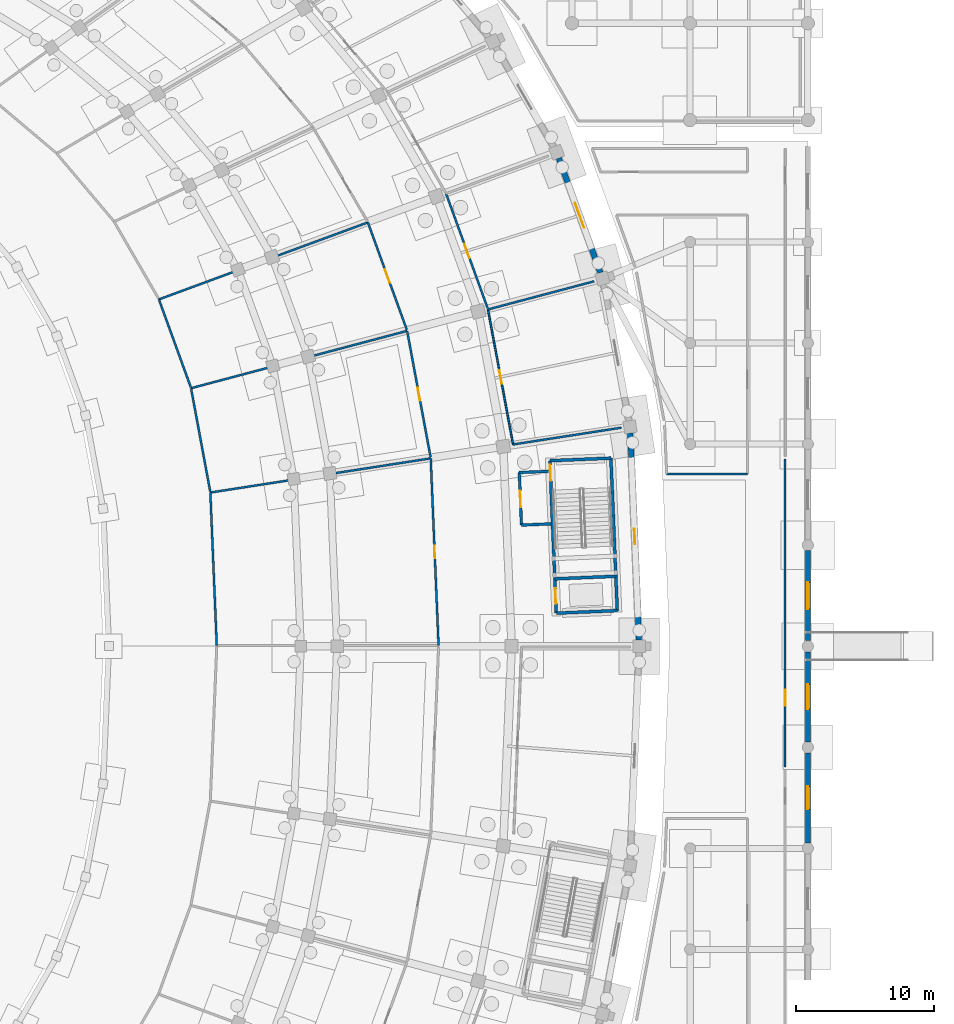
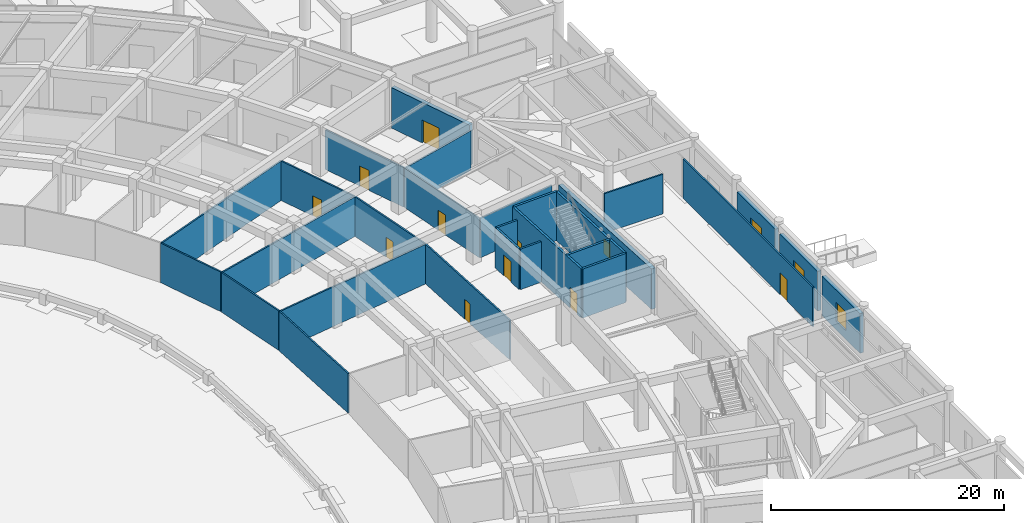
# One storey, part 54 of 88: 28 walls, 10 doors, 4 windows, 14 openings.
"""IFC4 building model written with IfcOpenShell, lengths in metres."""

import ifcopenshell
import ifcopenshell.guid

model = None  # the IFC model being written
_history = None  # IfcOwnerHistory: only IFC2X3 demands one
_inside = {}  # id of a spatial element -> (the spatial element, [elements in it])
_under = {}  # id of a project, library or spatial element -> (it, [spatial elements below it])
_declared = {}  # id of a project -> (the project, [libraries it declares])
_typed = {}  # id of a type object -> (the type object, [elements of that type])
_made_of = {}  # id of a material, layer set ... -> (it, [elements and type objects made of it])


def new_model(schema):
    """Start an empty IFC model of exactly this schema.

    Asked for "IFC4X3", IfcOpenShell would pick the latest addendum, in which some entities
    have other attributes; the version numbers below select the first issue.
    IFC2X3 requires an IfcOwnerHistory on every rooted entity: one is made here for all.
    """
    global model, _history
    if schema == "IFC4X3":
        model = ifcopenshell.file(schema_version=(4, 3, 0, 0))
    else:
        model = ifcopenshell.file(schema=schema)
    _inside.clear()
    _under.clear()
    _declared.clear()
    _typed.clear()
    _made_of.clear()
    _history = None
    if model.schema == "IFC2X3":
        org = make("IfcOrganization", Name="unknown")
        user = make(
            "IfcPersonAndOrganization",
            ThePerson=make("IfcPerson", FamilyName="unknown"),
            TheOrganization=org,
        )
        app = make(
            "IfcApplication",
            ApplicationDeveloper=org,
            Version="unknown",
            ApplicationFullName="unknown",
            ApplicationIdentifier="unknown",
        )
        _history = make(
            "IfcOwnerHistory",
            OwningUser=user,
            OwningApplication=app,
            ChangeAction="ADDED",
            CreationDate=0,
        )
    return model


def make(cls, **values):
    """One entity of the class cls with the attributes given. An attribute that is None is left unset."""
    return model.create_entity(
        cls, **{name: value for name, value in values.items() if value is not None}
    )


def rooted(cls, **values):
    """An entity with a GlobalId (a new one), such as an element, a storey or a relation."""
    return make(cls, GlobalId=ifcopenshell.guid.new(), OwnerHistory=_history, **values)


def si_unit(unit_type, name, prefix=None):
    """IfcSIUnit, for example si_unit("LENGTHUNIT", "METRE", prefix="MILLI")."""
    return make("IfcSIUnit", UnitType=unit_type, Prefix=prefix, Name=name)


def assignment(units):
    """IfcUnitAssignment: the units of a project."""
    return None if units is None else make("IfcUnitAssignment", Units=units)


def point(xyz):
    """IfcCartesianPoint."""
    return None if xyz is None else make("IfcCartesianPoint", Coordinates=xyz)


def direction(xyz):
    """IfcDirection."""
    return None if xyz is None else make("IfcDirection", DirectionRatios=xyz)


def frame(location, z_axis=None, x_axis=None):
    """IfcAxis2Placement3D, a coordinate frame: its origin and axes. An axis left out is left unset."""
    return make(
        "IfcAxis2Placement3D",
        Location=point(location),
        Axis=direction(z_axis),
        RefDirection=direction(x_axis),
    )


def frame_2d(location, x_axis=None):
    """IfcAxis2Placement2D, a coordinate frame in the plane: its origin and x axis."""
    return make(
        "IfcAxis2Placement2D", Location=point(location), RefDirection=direction(x_axis)
    )


def origin():
    """The frame at (0, 0, 0) with its axes left unset."""
    return frame((0.0, 0.0, 0.0))


def place(relative_to, where):
    """IfcLocalPlacement: puts the frame where relative to a parent placement (None: the world)."""
    return make(
        "IfcLocalPlacement", PlacementRelTo=relative_to, RelativePlacement=where
    )


def context(
    kind, dimensions, precision=None, world=None, true_north=None, identifier=None
):
    """IfcGeometricRepresentationContext, for example the 3D "Model" context."""
    return make(
        "IfcGeometricRepresentationContext",
        ContextIdentifier=identifier,
        ContextType=kind,
        CoordinateSpaceDimension=dimensions,
        Precision=precision,
        WorldCoordinateSystem=world,
        TrueNorth=true_north,
    )


def subcontext(parent, identifier, kind, view, scale=None):
    """IfcGeometricRepresentationSubContext, for example "Body" below "Model"."""
    return make(
        "IfcGeometricRepresentationSubContext",
        ContextIdentifier=identifier,
        ContextType=kind,
        ParentContext=parent,
        TargetScale=scale,
        TargetView=view,
    )


def project(units=None, contexts=None):
    """IfcProject with its units and contexts."""
    return rooted(
        "IfcProject",
        Name="project",
        RepresentationContexts=contexts,
        UnitsInContext=assignment(units),
    )


def spatial(cls, under=None, at=None, **own):
    """A site, building, storey or space (cls), placed at a placement, below another one or the project."""
    s = rooted(cls, ObjectPlacement=at, **own)
    if under is not None:
        _under.setdefault(under.id(), (under, []))[1].append(s)
    return s


def profile(cls, at=None, kind="AREA", **sizes):
    """A parametric profile (cls). Its sizes go by their IFC names, for example OverallWidth=200.0."""
    return make(cls, ProfileType=kind, Position=at, **sizes)


def rectangle(**sizes):
    """IfcRectangleProfileDef."""
    return profile("IfcRectangleProfileDef", **sizes)


def extrude(swept, where, along, depth):
    """IfcExtrudedAreaSolid: the profile swept, set in the frame where, extruded along a direction by depth."""
    return make(
        "IfcExtrudedAreaSolid",
        SweptArea=swept,
        Position=where,
        ExtrudedDirection=direction(along),
        Depth=depth,
    )


def shape(context_of_items, identifier, shape_type, items):
    """IfcShapeRepresentation: the items that make up one representation, for example the "Body"."""
    return make(
        "IfcShapeRepresentation",
        ContextOfItems=context_of_items,
        RepresentationIdentifier=identifier,
        RepresentationType=shape_type,
        Items=items,
    )


def material(Name=None, Category=None):
    """IfcMaterial."""
    return make("IfcMaterial", Name=Name, Category=Category)


def layer(
    of_material, thickness, ventilated=None, Name=None, Category=None, Priority=None
):
    """IfcMaterialLayer: one layer of a wall or slab, of a material (None: an air gap)."""
    return make(
        "IfcMaterialLayer",
        Material=of_material,
        LayerThickness=thickness,
        IsVentilated=ventilated,
        Name=Name,
        Category=Category,
        Priority=Priority,
    )


def layer_set(layers, Name=None):
    """IfcMaterialLayerSet."""
    return make("IfcMaterialLayerSet", MaterialLayers=layers, LayerSetName=Name)


def made_of(thing, what):
    """Note that an element or type object is made of a material, layer set ...; save() writes the relation."""
    if what is not None:
        _made_of.setdefault(what.id(), (what, []))[1].append(thing)
    return thing


def type_object(cls, material=None, **own):
    """A type object (cls), such as IfcWallType, which elements share."""
    return made_of(rooted(cls, **own), material)


def element(
    cls,
    number,
    at=None,
    inside=None,
    cuts=None,
    type_object=None,
    material=None,
    context=None,
    identifier="Body",
    shape_type=None,
    held_by="IfcProductDefinitionShape",
    body=None,
    shapes=None,
    **own,
):
    """One element of the class cls, such as IfcWall. Its Tag is "e" and its number.

    at: its placement. inside: the storey or other place that contains it. cuts: it is an
    opening in that element (IfcRelVoidsElement). A single representation is given by context,
    identifier, shape_type and body (its items); several are given by shapes. held_by: the class
    of the entity that holds the representations. save() writes the other relations.
    """
    e = rooted(cls, Tag="e%d" % number, ObjectPlacement=at, **own)
    if body is not None:
        shapes = [shape(context, identifier, shape_type, body)]
    if shapes is not None:
        e.Representation = make(held_by, Representations=shapes)
    if inside is not None:
        _inside.setdefault(inside.id(), (inside, []))[1].append(e)
    if cuts is not None:
        rooted(
            "IfcRelVoidsElement", RelatingBuildingElement=cuts, RelatedOpeningElement=e
        )
    if type_object is not None:
        _typed.setdefault(type_object.id(), (type_object, []))[1].append(e)
    return made_of(e, material)


def fill(opening, filler):
    """IfcRelFillsElement: the door or window that sits in an opening."""
    return rooted(
        "IfcRelFillsElement",
        RelatingOpeningElement=opening,
        RelatedBuildingElement=filler,
    )


def aggregate(whole, parts):
    """IfcRelAggregates: a whole, such as a stair, and the parts it consists of."""
    return rooted("IfcRelAggregates", RelatingObject=whole, RelatedObjects=parts)


def save(model, path):
    """Write the relations noted so far, then the file.

    IfcRelAggregates (storeys below a building ...), IfcRelContainedInSpatialStructure (elements
    in a storey), IfcRelDefinesByType, IfcRelAssociatesMaterial and IfcRelDeclares: one each for
    every whole, place, type object, material and project.
    """
    for whole, parts in _under.values():
        aggregate(whole, parts)
    for where, things in _inside.values():
        rooted(
            "IfcRelContainedInSpatialStructure",
            RelatedElements=things,
            RelatingStructure=where,
        )
    for kind, things in _typed.values():
        rooted("IfcRelDefinesByType", RelatedObjects=things, RelatingType=kind)
    for what, things in _made_of.values():
        rooted("IfcRelAssociatesMaterial", RelatedObjects=things, RelatingMaterial=what)
    for by, libraries in _declared.values():
        rooted("IfcRelDeclares", RelatingContext=by, RelatedDefinitions=libraries)
    model.write(path)


model = new_model("IFC4")

# Units and contexts
model_context = context("Model", 3, precision=1e-05, world=origin(), true_north=direction((0.0, 1.0)))
body_context = subcontext(model_context, "Body", "Model", "MODEL_VIEW")
ifc_project = project(units=[si_unit("LENGTHUNIT", "METRE"), si_unit("AREAUNIT", "SQUARE_METRE"), si_unit("VOLUMEUNIT", "CUBIC_METRE"), si_unit("PLANEANGLEUNIT", "RADIAN"), si_unit("MASSUNIT", "GRAM", prefix="KILO")], contexts=[model_context])

# Site, building, storey
site_placement = place(None, origin())
site = spatial("IfcSite", under=ifc_project, at=site_placement, CompositionType="ELEMENT")
building_placement = place(site_placement, origin())
building = spatial("IfcBuilding", under=site, at=building_placement, Name="Mphavela Belvedere Stadium", CompositionType="ELEMENT")
storey_placement = place(building_placement, origin())
storey = spatial("IfcBuildingStorey", under=building, at=storey_placement, Name="L00", CompositionType="ELEMENT", Elevation=0.0)

# Walls
ifc_material_1 = material(Name="Concrete C40/50", Category="concrete")
ifc_layer_1 = layer(ifc_material_1, 0.219970703125)
ifc_layer_set_1 = layer_set([ifc_layer_1], Name="Concrete C40/50")
wall_type_1 = type_object("IfcWallType", Name="WAL-CORE-SHEAR-220", PredefinedType="SHEAR", material=ifc_layer_set_1)
wall_1_placement = place(storey_placement, frame((215.771728515625, 100.585205078125, 0.0), z_axis=(0.0, 0.0, 1.0), x_axis=(0.041871977473, -0.999122984173, 0.0)))
element("IfcWall", 1, at=wall_1_placement, inside=storey, type_object=wall_type_1, Name="Core C01 shear wall L00 rear", PredefinedType="SHEAR", context=body_context, shape_type="SweptSolid", body=[
    extrude(rectangle(XDim=11.02001953125, YDim=0.219970703125, at=frame_2d((5.510009765625, 0.0))), origin(), (0.0, 0.0, 1.0), 5.14990234375),
])
for number, where, z_axis, x_axis, name in (
    (2, (211.365478515625, 100.400390625, 0.0), (0.0, 0.0, 1.0), (0.999121521721, 0.041906859039, 0.0), "Core C01 shear wall L00 left"),
    (3, (211.826904296875, 89.39013671875, 0.0), (0.0, 0.0, 1.0), (0.999121521721, 0.041906859039, 0.0), "Core C01 shear wall L00 right"),
):
    element("IfcWall", number, at=place(storey_placement, frame(where, z_axis=z_axis, x_axis=x_axis)), inside=storey, type_object=wall_type_1, Name=name, PredefinedType="SHEAR", context=body_context, shape_type="SweptSolid", body=[
        extrude(rectangle(XDim=4.41015625, YDim=0.219970703125, at=frame_2d((2.205078125, 0.0))), origin(), (0.0, 0.0, 1.0), 5.14990234375),
    ])

# Wall, openings, doors
wall_2_placement = place(storey_placement, frame((211.365478515625, 100.400390625, 0.0), z_axis=(0.0, 0.0, 1.0), x_axis=(0.041871977473, -0.999122984173, 0.0)))
wall_2 = element("IfcWall", 4, at=wall_2_placement, inside=storey, type_object=wall_type_1, Name="Core C01 shear wall L00 front", PredefinedType="SHEAR", context=body_context, shape_type="SweptSolid", body=[
    extrude(rectangle(XDim=11.02001953125, YDim=0.219970703125, at=frame_2d((5.510009765625, 0.0))), origin(), (0.0, 0.0, 1.0), 5.14990234375),
])
opening_1_placement = place(wall_2_placement, frame((0.300048828125, 0.0, 0.0)))
opening_1 = element("IfcOpeningElement", 5, at=opening_1_placement, cuts=wall_2, Name="Opening SD-001", PredefinedType="OPENING", context=body_context, shape_type="SweptSolid", body=[
    extrude(rectangle(XDim=1.14990234375, YDim=2.14990234375, at=frame_2d((0.574951171875, 1.074951171875))), frame((0.0, 0.1201171875, 0.0), z_axis=(0.0, -1.0, 0.0), x_axis=(1.0, 0.0, 0.0)), (0.0, 0.0, 1.0), 0.239990234375),
])
opening_2_placement = place(wall_2_placement, frame((9.22998046875, 0.0, 0.0)))
opening_2 = element("IfcOpeningElement", 6, at=opening_2_placement, cuts=wall_2, Name="Opening LD-001", PredefinedType="OPENING", context=body_context, shape_type="SweptSolid", body=[
    extrude(rectangle(XDim=1.10009765625, YDim=2.14990234375, at=frame_2d((0.550048828125, 1.074951171875))), frame((0.0, 0.1201171875, 0.0), z_axis=(0.0, -1.0, 0.0), x_axis=(1.0, 0.0, 0.0)), (0.0, 0.0, 1.0), 0.239990234375),
])
ifc_material_2 = material(Name="Stainless steel center-parting lift landing door", Category="steel")
door_type_1 = type_object("IfcDoorType", Name="DR-LIFT-SLIDE-1100", OperationType="NOTDEFINED", PredefinedType="DOOR", material=ifc_material_2)
door_1_placement = place(opening_2_placement, origin())
door_1 = element("IfcDoor", 7, at=door_1_placement, inside=storey, type_object=door_type_1, Name="Lift landing sliding door FL01 L00", OperationType="DOUBLE_DOOR_SLIDING", OverallHeight=2.14990234375, OverallWidth=1.10009765625, PredefinedType="DOOR", context=body_context, shape_type="SweptSolid", body=[
    extrude(rectangle(XDim=1.10009765625, YDim=2.14990234375, at=frame_2d((0.550048828125, 1.074951171875))), frame((0.0, 0.02490234375, 0.0), z_axis=(0.0, -1.0, 0.0), x_axis=(1.0, 0.0, 0.0)), (0.0, 0.0, 1.0), 0.050048828125),
])
fill(opening_2, door_1)
ifc_material_3 = material(Name="Steel acoustic fire-resisting stair doorset", Category="steel")
door_type_2 = type_object("IfcDoorType", Name="DR-STAIR-FIRE-1150", OperationType="NOTDEFINED", PredefinedType="DOOR", material=ifc_material_3)
door_2_placement = place(opening_1_placement, origin())
door_2 = element("IfcDoor", 8, at=door_2_placement, inside=storey, type_object=door_type_2, Name="Escape stair fire door C01 L00", OperationType="SINGLE_SWING_LEFT", OverallHeight=2.14990234375, OverallWidth=1.14990234375, PredefinedType="DOOR", context=body_context, shape_type="SweptSolid", body=[
    extrude(rectangle(XDim=1.14990234375, YDim=2.14990234375, at=frame_2d((0.574951171875, 1.074951171875))), frame((0.0, 0.02490234375, 0.0), z_axis=(0.0, -1.0, 0.0), x_axis=(1.0, 0.0, 0.0)), (0.0, 0.0, 1.0), 0.050048828125),
])
fill(opening_1, door_2)

# Wall
wall_3_placement = place(storey_placement, frame((211.72314453125, 91.867919921875, 0.0), z_axis=(0.0, 0.0, 1.0), x_axis=(0.999121521721, 0.041906859039, 0.0)))
element("IfcWall", 9, at=wall_3_placement, inside=storey, type_object=wall_type_1, Name="Core C01 shear wall L00 div", PredefinedType="SHEAR", context=body_context, shape_type="SweptSolid", body=[
    extrude(rectangle(XDim=4.41015625, YDim=0.219970703125, at=frame_2d((2.205078125, 0.0))), origin(), (0.0, 0.0, 1.0), 5.14990234375),
])

# Wall, opening, window
ifc_material_4 = material(Name="Honed ashlar limestone masonry", Category="masonry")
ifc_layer_2 = layer(ifc_material_4, 0.35009765625)
ifc_layer_set_2 = layer_set([ifc_layer_2], Name="Honed ashlar limestone masonry")
wall_type_2 = type_object("IfcWallType", Name="WAL-EXT-ASHLAR-350", PredefinedType="STANDARD", material=ifc_layer_set_2)
wall_4_placement = place(storey_placement, frame((230.0, 79.302001953125, 0.0), z_axis=(0.0, 0.0, 1.0), x_axis=(0.0, -1.0, 0.0)))
wall_4 = element("IfcWall", 10, at=wall_4_placement, inside=storey, type_object=wall_type_2, Name="East Planted Eaves Peristyle Colonnade outer facade bay L00-04", PredefinedType="STANDARD", context=body_context, shape_type="SweptSolid", body=[
    extrude(rectangle(XDim=6.50390625, YDim=0.35009765625, at=frame_2d((3.251953125, 0.0))), origin(), (0.0, 0.0, 1.0), 4.159912109375),
])
opening_3_placement = place(wall_4_placement, frame((2.422119140625, 0.0, 0.89990234375)))
opening_3 = element("IfcOpeningElement", 11, at=opening_3_placement, cuts=wall_4, Name="Opening W-291", PredefinedType="OPENING", context=body_context, shape_type="SweptSolid", body=[
    extrude(rectangle(XDim=1.659912109375, YDim=1.949951171875, at=frame_2d((0.830078125, 0.97509765625))), frame((0.0, 0.18505859375, 0.0), z_axis=(0.0, -1.0, 0.0), x_axis=(1.0, 0.0, 0.0)), (0.0, 0.0, 1.0), 0.3701171875),
])
ifc_material_5 = material(Name="Bronze-anodised thermally broken aluminium window", Category="aluminium")
window_type_1 = type_object("IfcWindowType", Name="WIN-EXT-27", PartitioningType="SINGLE_PANEL", PredefinedType="WINDOW", material=ifc_material_5)
window_1_placement = place(opening_3_placement, origin())
window_1 = element("IfcWindow", 12, at=window_1_placement, inside=storey, type_object=window_type_1, Name="East Planted Eaves Peristyle Colonnade classical window W-291", OverallHeight=1.949951171875, OverallWidth=1.659912109375, PartitioningType="SINGLE_PANEL", PredefinedType="WINDOW", context=body_context, shape_type="SweptSolid", body=[
    extrude(rectangle(XDim=1.659912109375, YDim=1.949951171875, at=frame_2d((0.830078125, 0.97509765625))), frame((0.0, 0.030029296875, 0.0), z_axis=(0.0, -1.0, 0.0), x_axis=(1.0, 0.0, 0.0)), (0.0, 0.0, 1.0), 0.06005859375),
])
fill(opening_3, window_1)

wall_5_placement = place(storey_placement, frame((230.0, 86.60205078125, 0.0), z_axis=(0.0, 0.0, 1.0), x_axis=(0.0, -1.0, 0.0)))
wall_5 = element("IfcWall", 13, at=wall_5_placement, inside=storey, type_object=wall_type_2, Name="East Planted Eaves Peristyle Colonnade outer facade bay L00-05", PredefinedType="STANDARD", context=body_context, shape_type="SweptSolid", body=[
    extrude(rectangle(XDim=6.504150390625, YDim=0.35009765625, at=frame_2d((3.251953125, 0.0))), origin(), (0.0, 0.0, 1.0), 4.159912109375),
])
opening_4_placement = place(wall_5_placement, frame((2.35205078125, 0.0, 0.89990234375)))
opening_4 = element("IfcOpeningElement", 14, at=opening_4_placement, cuts=wall_5, Name="Opening W-292", PredefinedType="OPENING", context=body_context, shape_type="SweptSolid", body=[
    extrude(rectangle(XDim=1.800048828125, YDim=1.949951171875, at=frame_2d((0.89990234375, 0.97509765625))), frame((0.0, 0.18505859375, 0.0), z_axis=(0.0, -1.0, 0.0), x_axis=(1.0, 0.0, 0.0)), (0.0, 0.0, 1.0), 0.3701171875),
])
ifc_material_6 = material(Name="Bronze-anodised thermally broken aluminium window", Category="aluminium")
window_type_2 = type_object("IfcWindowType", Name="WIN-EXT-28", PartitioningType="SINGLE_PANEL", PredefinedType="WINDOW", material=ifc_material_6)
window_2_placement = place(opening_4_placement, origin())
window_2 = element("IfcWindow", 15, at=window_2_placement, inside=storey, type_object=window_type_2, Name="East Planted Eaves Peristyle Colonnade classical window W-292", OverallHeight=1.949951171875, OverallWidth=1.800048828125, PartitioningType="SINGLE_PANEL", PredefinedType="WINDOW", context=body_context, shape_type="SweptSolid", body=[
    extrude(rectangle(XDim=1.800048828125, YDim=1.949951171875, at=frame_2d((0.89990234375, 0.97509765625))), frame((0.0, 0.030029296875, 0.0), z_axis=(0.0, -1.0, 0.0), x_axis=(1.0, 0.0, 0.0)), (0.0, 0.0, 1.0), 0.06005859375),
])
fill(opening_4, window_2)

wall_6_placement = place(storey_placement, frame((230.0, 93.902099609375, 0.0), z_axis=(0.0, 0.0, 1.0), x_axis=(0.0, -1.0, 0.0)))
wall_6 = element("IfcWall", 16, at=wall_6_placement, inside=storey, type_object=wall_type_2, Name="East Planted Eaves Peristyle Colonnade outer facade bay L00-06", PredefinedType="STANDARD", context=body_context, shape_type="SweptSolid", body=[
    extrude(rectangle(XDim=6.504150390625, YDim=0.35009765625, at=frame_2d((3.251953125, 0.0))), origin(), (0.0, 0.0, 1.0), 4.159912109375),
])
opening_5_placement = place(wall_6_placement, frame((2.281982421875, 0.0, 0.89990234375)))
opening_5 = element("IfcOpeningElement", 17, at=opening_5_placement, cuts=wall_6, Name="Opening W-293", PredefinedType="OPENING", context=body_context, shape_type="SweptSolid", body=[
    extrude(rectangle(XDim=1.93994140625, YDim=1.949951171875, at=frame_2d((0.969970703125, 0.97509765625))), frame((0.0, 0.18505859375, 0.0), z_axis=(0.0, -1.0, 0.0), x_axis=(1.0, 0.0, 0.0)), (0.0, 0.0, 1.0), 0.3701171875),
])
ifc_material_7 = material(Name="Bronze-anodised thermally broken aluminium window", Category="aluminium")
window_type_3 = type_object("IfcWindowType", Name="WIN-EXT-29", PartitioningType="SINGLE_PANEL", PredefinedType="WINDOW", material=ifc_material_7)
window_3_placement = place(opening_5_placement, origin())
window_3 = element("IfcWindow", 18, at=window_3_placement, inside=storey, type_object=window_type_3, Name="East Planted Eaves Peristyle Colonnade classical window W-293", OverallHeight=1.949951171875, OverallWidth=1.93994140625, PartitioningType="SINGLE_PANEL", PredefinedType="WINDOW", context=body_context, shape_type="SweptSolid", body=[
    extrude(rectangle(XDim=1.93994140625, YDim=1.949951171875, at=frame_2d((0.969970703125, 0.97509765625))), frame((0.0, 0.030029296875, 0.0), z_axis=(0.0, -1.0, 0.0), x_axis=(1.0, 0.0, 0.0)), (0.0, 0.0, 1.0), 0.06005859375),
])
fill(opening_5, window_3)

ifc_material_8 = material(Name="Rusticated ashlar limestone masonry", Category="masonry")
ifc_layer_3 = layer(ifc_material_8, 0.39990234375)
ifc_layer_set_3 = layer_set([ifc_layer_3], Name="Rusticated ashlar limestone masonry")
wall_type_3 = type_object("IfcWallType", Name="WAL-EXT-ASHLAR-400", PredefinedType="STANDARD", material=ifc_layer_set_3)
wall_7_placement = place(storey_placement, frame((217.17431640625, 102.3974609375, 0.0), z_axis=(0.0, 0.0, 1.0), x_axis=(0.041899972393, -0.999121810548, 0.0)))
wall_7 = element("IfcWall", 19, at=wall_7_placement, inside=storey, type_object=wall_type_3, Name="Ground plinth rusticated ashlar wall 01", PredefinedType="STANDARD", context=body_context, shape_type="SweptSolid", body=[
    extrude(rectangle(XDim=14.963134765625, YDim=0.39990234375, at=frame_2d((7.4814453125, 0.0))), origin(), (0.0, 0.0, 1.0), 4.25),
])
opening_6_placement = place(wall_7_placement, frame((6.931396484375, 0.0, 1.10009765625)))
opening_6 = element("IfcOpeningElement", 20, at=opening_6_placement, cuts=wall_7, Name="Opening W-001", PredefinedType="OPENING", context=body_context, shape_type="SweptSolid", body=[
    extrude(rectangle(XDim=1.10009765625, YDim=1.550048828125, at=frame_2d((0.550048828125, 0.77490234375))), frame((0.0, 0.2099609375, 0.0), z_axis=(0.0, -1.0, 0.0), x_axis=(1.0, 0.0, 0.0)), (0.0, 0.0, 1.0), 0.419921875),
])
ifc_material_9 = material(Name="Bronze-anodised thermally broken aluminium window", Category="aluminium")
window_type_4 = type_object("IfcWindowType", Name="WIN-EXT-01", PartitioningType="SINGLE_PANEL", PredefinedType="WINDOW", material=ifc_material_9)
window_4_placement = place(opening_6_placement, origin())
window_4 = element("IfcWindow", 21, at=window_4_placement, inside=storey, type_object=window_type_4, Name="Plinth classical window W-001", OverallHeight=1.550048828125, OverallWidth=1.10009765625, PartitioningType="SINGLE_PANEL", PredefinedType="WINDOW", context=body_context, shape_type="SweptSolid", body=[
    extrude(rectangle(XDim=1.10009765625, YDim=1.550048828125, at=frame_2d((0.550048828125, 0.77490234375))), frame((0.0, 0.030029296875, 0.0), z_axis=(0.0, -1.0, 0.0), x_axis=(1.0, 0.0, 0.0)), (0.0, 0.0, 1.0), 0.06005859375),
])
fill(opening_6, window_4)

# Wall, opening, door
wall_8_placement = place(storey_placement, frame((212.0087890625, 122.26123046875, 0.0), z_axis=(0.0, 0.0, 1.0), x_axis=(0.341030587203, -0.940052199929, 0.0)))
wall_8 = element("IfcWall", 22, at=wall_8_placement, inside=storey, type_object=wall_type_3, Name="Ground plinth rusticated ashlar wall 03", PredefinedType="STANDARD", context=body_context, shape_type="SweptSolid", body=[
    extrude(rectangle(XDim=8.805419921875, YDim=0.39990234375, at=frame_2d((4.40283203125, 0.0))), origin(), (0.0, 0.0, 1.0), 4.25),
])
opening_7_placement = place(wall_8_placement, frame((3.45263671875, 0.0, 0.0)))
opening_7 = element("IfcOpeningElement", 23, at=opening_7_placement, cuts=wall_8, Name="Opening ED-002", PredefinedType="OPENING", context=body_context, shape_type="SweptSolid", body=[
    extrude(rectangle(XDim=1.89990234375, YDim=2.39990234375, at=frame_2d((0.949951171875, 1.199951171875))), frame((0.0, 0.2099609375, 0.0), z_axis=(0.0, -1.0, 0.0), x_axis=(1.0, 0.0, 0.0)), (0.0, 0.0, 1.0), 0.419921875),
])
ifc_material_10 = material(Name="Glazed bronze-anodised steel exit doorset", Category="steel")
door_type_3 = type_object("IfcDoorType", Name="DR-EXT-02", OperationType="NOTDEFINED", PredefinedType="DOOR", material=ifc_material_10)
door_3_placement = place(opening_7_placement, origin())
door_3 = element("IfcDoor", 24, at=door_3_placement, inside=storey, type_object=door_type_3, Name="Spectator final exit doorset ED-002", OperationType="DOUBLE_DOOR_SINGLE_SWING", OverallHeight=2.39990234375, OverallWidth=1.89990234375, PredefinedType="DOOR", context=body_context, shape_type="SweptSolid", body=[
    extrude(rectangle(XDim=1.89990234375, YDim=2.39990234375, at=frame_2d((0.949951171875, 1.199951171875))), frame((0.0, 0.02490234375, 0.0), z_axis=(0.0, -1.0, 0.0), x_axis=(1.0, 0.0, 0.0)), (0.0, 0.0, 1.0), 0.050048828125),
])
fill(opening_7, door_3)

ifc_material_11 = material(Name="Moisture-resistant sanitary partition assembly")
ifc_layer_4 = layer(ifc_material_11, 0.125)
ifc_layer_set_4 = layer_set([ifc_layer_4], Name="Moisture-resistant sanitary partition assembly")
wall_type_4 = type_object("IfcWallType", Name="WAL-PART-125", PredefinedType="PARTITIONING", material=ifc_layer_set_4)
wall_9_placement = place(storey_placement, frame((208.706787109375, 101.5751953125, 0.0), z_axis=(0.0, 0.0, 1.0), x_axis=(-0.182618024057, 0.983183938686, 0.0)))
wall_9 = element("IfcWall", 25, at=wall_9_placement, inside=storey, type_object=wall_type_4, Name="Room L00-37 corridor partition", PredefinedType="PARTITIONING", context=body_context, shape_type="SweptSolid", body=[
    extrude(rectangle(XDim=9.919677734375, YDim=0.125, at=frame_2d((4.9599609375, 0.0))), origin(), (0.0, 0.0, 1.0), 4.14990234375),
])
opening_8_placement = place(wall_9_placement, frame((4.469970703125, 0.0, 0.0)))
opening_8 = element("IfcOpeningElement", 26, at=opening_8_placement, cuts=wall_9, Name="Opening ID-003", PredefinedType="OPENING", context=body_context, shape_type="SweptSolid", body=[
    extrude(rectangle(XDim=0.97998046875, YDim=2.10009765625, at=frame_2d((0.489990234375, 1.050048828125))), frame((0.0, 0.072509765625, 0.0), z_axis=(0.0, -1.0, 0.0), x_axis=(1.0, 0.0, 0.0)), (0.0, 0.0, 1.0), 0.14501953125),
])
ifc_material_12 = material(Name="Hardwood acoustic timber doorset", Category="wood")
door_type_4 = type_object("IfcDoorType", Name="DR-INT-03", OperationType="NOTDEFINED", PredefinedType="DOOR", material=ifc_material_12)
door_4_placement = place(opening_8_placement, origin())
door_4 = element("IfcDoor", 27, at=door_4_placement, inside=storey, type_object=door_type_4, Name="Room L00-37 entrance door ID-003", OperationType="SINGLE_SWING_LEFT", OverallHeight=2.10009765625, OverallWidth=0.97998046875, PredefinedType="DOOR", context=body_context, shape_type="SweptSolid", body=[
    extrude(rectangle(XDim=0.97998046875, YDim=2.10009765625, at=frame_2d((0.489990234375, 1.050048828125))), frame((0.0, 0.02490234375, 0.0), z_axis=(0.0, -1.0, 0.0), x_axis=(1.0, 0.0, 0.0)), (0.0, 0.0, 1.0), 0.050048828125),
])
fill(opening_8, door_4)

ifc_material_13 = material(Name="Acoustic gypsum stud partition assembly")
ifc_layer_5 = layer(ifc_material_13, 0.14990234375)
ifc_layer_set_5 = layer_set([ifc_layer_5], Name="Acoustic gypsum stud partition assembly")
wall_type_5 = type_object("IfcWallType", Name="WAL-PART-150", PredefinedType="PARTITIONING", material=ifc_layer_set_5)
wall_10_placement = place(storey_placement, frame((202.7578125, 100.5712890625, 0.0), z_axis=(0.0, 0.0, 1.0), x_axis=(0.041894479342, -0.999122040894, 0.0)))
wall_10 = element("IfcWall", 28, at=wall_10_placement, inside=storey, type_object=wall_type_5, Name="Room L00-34 corridor partition", PredefinedType="PARTITIONING", context=body_context, shape_type="SweptSolid", body=[
    extrude(rectangle(XDim=13.543212890625, YDim=0.14990234375, at=frame_2d((6.771484375, 0.0))), origin(), (0.0, 0.0, 1.0), 4.14990234375),
])
opening_9_placement = place(wall_10_placement, frame((6.321533203125, 0.0, 0.0)))
opening_9 = element("IfcOpeningElement", 29, at=opening_9_placement, cuts=wall_10, Name="Opening ID-001", PredefinedType="OPENING", context=body_context, shape_type="SweptSolid", body=[
    extrude(rectangle(XDim=0.89990234375, YDim=2.10009765625, at=frame_2d((0.449951171875, 1.050048828125))), frame((0.0, 0.0849609375, 0.0), z_axis=(0.0, -1.0, 0.0), x_axis=(1.0, 0.0, 0.0)), (0.0, 0.0, 1.0), 0.169921875),
])
ifc_material_14 = material(Name="Hardwood acoustic timber doorset", Category="wood")
door_type_5 = type_object("IfcDoorType", Name="DR-INT-01", OperationType="NOTDEFINED", PredefinedType="DOOR", material=ifc_material_14)
door_5_placement = place(opening_9_placement, origin())
door_5 = element("IfcDoor", 30, at=door_5_placement, inside=storey, type_object=door_type_5, Name="Room L00-34 entrance door ID-001", OperationType="SINGLE_SWING_LEFT", OverallHeight=2.10009765625, OverallWidth=0.89990234375, PredefinedType="DOOR", context=body_context, shape_type="SweptSolid", body=[
    extrude(rectangle(XDim=0.89990234375, YDim=2.10009765625, at=frame_2d((0.449951171875, 1.050048828125))), frame((0.0, 0.02490234375, 0.0), z_axis=(0.0, -1.0, 0.0), x_axis=(1.0, 0.0, 0.0)), (0.0, 0.0, 1.0), 0.050048828125),
])
fill(opening_9, door_5)

wall_11_placement = place(storey_placement, frame((201.053466796875, 109.779052734375, 0.0), z_axis=(0.0, 0.0, 1.0), x_axis=(0.182600545941, -0.983187184936, 0.0)))
wall_11 = element("IfcWall", 31, at=wall_11_placement, inside=storey, type_object=wall_type_5, Name="Room L00-36 corridor partition", PredefinedType="PARTITIONING", context=body_context, shape_type="SweptSolid", body=[
    extrude(rectangle(XDim=9.2841796875, YDim=0.14990234375, at=frame_2d((4.64208984375, 0.0))), origin(), (0.0, 0.0, 1.0), 4.14990234375),
])
opening_10_placement = place(wall_11_placement, frame((4.172119140625, 0.0, 0.0)))
opening_10 = element("IfcOpeningElement", 32, at=opening_10_placement, cuts=wall_11, Name="Opening ID-002", PredefinedType="OPENING", context=body_context, shape_type="SweptSolid", body=[
    extrude(rectangle(XDim=0.93994140625, YDim=2.10009765625, at=frame_2d((0.469970703125, 1.050048828125))), frame((0.0, 0.0849609375, 0.0), z_axis=(0.0, -1.0, 0.0), x_axis=(1.0, 0.0, 0.0)), (0.0, 0.0, 1.0), 0.169921875),
])
ifc_material_15 = material(Name="Hardwood acoustic timber doorset", Category="wood")
door_type_6 = type_object("IfcDoorType", Name="DR-INT-02", OperationType="NOTDEFINED", PredefinedType="DOOR", material=ifc_material_15)
door_6_placement = place(opening_10_placement, origin())
door_6 = element("IfcDoor", 33, at=door_6_placement, inside=storey, type_object=door_type_6, Name="Room L00-36 entrance door ID-002", OperationType="SINGLE_SWING_RIGHT", OverallHeight=2.10009765625, OverallWidth=0.93994140625, PredefinedType="DOOR", context=body_context, shape_type="SweptSolid", body=[
    extrude(rectangle(XDim=0.93994140625, YDim=2.10009765625, at=frame_2d((0.469970703125, 1.050048828125))), frame((0.0, 0.02490234375, 0.0), z_axis=(0.0, -1.0, 0.0), x_axis=(1.0, 0.0, 0.0)), (0.0, 0.0, 1.0), 0.050048828125),
])
fill(opening_10, door_6)

wall_12_placement = place(storey_placement, frame((198.217529296875, 117.615234375, 0.0), z_axis=(0.0, 0.0, 1.0), x_axis=(0.341044733968, -0.940047067669, 0.0)))
wall_12 = element("IfcWall", 34, at=wall_12_placement, inside=storey, type_object=wall_type_5, Name="Room L00-39 corridor partition", PredefinedType="PARTITIONING", context=body_context, shape_type="SweptSolid", body=[
    extrude(rectangle(XDim=8.25390625, YDim=0.14990234375, at=frame_2d((4.126953125, 0.0))), origin(), (0.0, 0.0, 1.0), 4.14990234375),
])
opening_11_placement = place(wall_12_placement, frame((3.616943359375, 0.0, 0.0)))
opening_11 = element("IfcOpeningElement", 35, at=opening_11_placement, cuts=wall_12, Name="Opening ID-004", PredefinedType="OPENING", context=body_context, shape_type="SweptSolid", body=[
    extrude(rectangle(XDim=1.02001953125, YDim=2.10009765625, at=frame_2d((0.510009765625, 1.050048828125))), frame((0.0, 0.0849609375, 0.0), z_axis=(0.0, -1.0, 0.0), x_axis=(1.0, 0.0, 0.0)), (0.0, 0.0, 1.0), 0.169921875),
])
ifc_material_16 = material(Name="Hardwood acoustic timber doorset", Category="wood")
door_type_7 = type_object("IfcDoorType", Name="DR-INT-04", OperationType="NOTDEFINED", PredefinedType="DOOR", material=ifc_material_16)
door_7_placement = place(opening_11_placement, origin())
door_7 = element("IfcDoor", 36, at=door_7_placement, inside=storey, type_object=door_type_7, Name="Room L00-39 entrance door ID-004", OperationType="SINGLE_SWING_RIGHT", OverallHeight=2.10009765625, OverallWidth=1.02001953125, PredefinedType="DOOR", context=body_context, shape_type="SweptSolid", body=[
    extrude(rectangle(XDim=1.02001953125, YDim=2.10009765625, at=frame_2d((0.510009765625, 1.050048828125))), frame((0.0, 0.02490234375, 0.0), z_axis=(0.0, -1.0, 0.0), x_axis=(1.0, 0.0, 0.0)), (0.0, 0.0, 1.0), 0.050048828125),
])
fill(opening_11, door_7)

wall_13_placement = place(storey_placement, frame((206.874267578125, 111.4052734375, 0.0), z_axis=(0.0, 0.0, 1.0), x_axis=(-0.341031741571, 0.940051781149, 0.0)))
wall_13 = element("IfcWall", 37, at=wall_13_placement, inside=storey, type_object=wall_type_5, Name="Room L00-40 corridor partition", PredefinedType="PARTITIONING", context=body_context, shape_type="SweptSolid", body=[
    extrude(rectangle(XDim=8.81982421875, YDim=0.14990234375, at=frame_2d((4.409912109375, 0.0))), origin(), (0.0, 0.0, 1.0), 4.14990234375),
])
opening_12_placement = place(wall_13_placement, frame((3.8798828125, 0.0, 0.0)))
opening_12 = element("IfcOpeningElement", 38, at=opening_12_placement, cuts=wall_13, Name="Opening ID-005", PredefinedType="OPENING", context=body_context, shape_type="SweptSolid", body=[
    extrude(rectangle(XDim=1.06005859375, YDim=2.10009765625, at=frame_2d((0.530029296875, 1.050048828125))), frame((0.0, 0.0849609375, 0.0), z_axis=(0.0, -1.0, 0.0), x_axis=(1.0, 0.0, 0.0)), (0.0, 0.0, 1.0), 0.169921875),
])
ifc_material_17 = material(Name="Hardwood acoustic timber doorset", Category="wood")
door_type_8 = type_object("IfcDoorType", Name="DR-INT-05", OperationType="NOTDEFINED", PredefinedType="DOOR", material=ifc_material_17)
door_8_placement = place(opening_12_placement, origin())
door_8 = element("IfcDoor", 39, at=door_8_placement, inside=storey, type_object=door_type_8, Name="Room L00-40 entrance door ID-005", OperationType="SINGLE_SWING_LEFT", OverallHeight=2.10009765625, OverallWidth=1.06005859375, PredefinedType="DOOR", context=body_context, shape_type="SweptSolid", body=[
    extrude(rectangle(XDim=1.06005859375, YDim=2.10009765625, at=frame_2d((0.530029296875, 1.050048828125))), frame((0.0, 0.02490234375, 0.0), z_axis=(0.0, -1.0, 0.0), x_axis=(1.0, 0.0, 0.0)), (0.0, 0.0, 1.0), 0.050048828125),
])
fill(opening_12, door_8)

wall_14_placement = place(storey_placement, frame((228.360107421875, 78.2900390625, 0.0), z_axis=(0.0, 0.0, 1.0), x_axis=(0.0, 1.0, 0.0)))
wall_14 = element("IfcWall", 40, at=wall_14_placement, inside=storey, type_object=wall_type_5, Name="Room L00-209 corridor partition", PredefinedType="PARTITIONING", context=body_context, shape_type="SweptSolid", body=[
    extrude(rectangle(XDim=22.22998046875, YDim=0.14990234375, at=frame_2d((11.114990234375, 0.0))), origin(), (0.0, 0.0, 1.0), 4.14990234375),
])
opening_13_placement = place(wall_14_placement, frame((4.402099609375, 0.0, 0.0)))
opening_13 = element("IfcOpeningElement", 41, at=opening_13_placement, cuts=wall_14, Name="Opening ID-536", PredefinedType="OPENING", context=body_context, shape_type="SweptSolid", body=[
    extrude(rectangle(XDim=1.179931640625, YDim=2.300048828125, at=frame_2d((0.58984375, 1.14990234375))), frame((0.0, 0.0849609375, 0.0), z_axis=(0.0, -1.0, 0.0), x_axis=(1.0, 0.0, 0.0)), (0.0, 0.0, 1.0), 0.169921875),
])
ifc_material_18 = material(Name="Hardwood acoustic timber doorset", Category="wood")
door_type_9 = type_object("IfcDoorType", Name="DR-INT-32", OperationType="NOTDEFINED", PredefinedType="DOOR", material=ifc_material_18)
door_9_placement = place(opening_13_placement, origin())
door_9 = element("IfcDoor", 42, at=door_9_placement, inside=storey, type_object=door_type_9, Name="Room L00-209 entrance door ID-536", OperationType="SINGLE_SWING_RIGHT", OverallHeight=2.300048828125, OverallWidth=1.179931640625, PredefinedType="DOOR", context=body_context, shape_type="SweptSolid", body=[
    extrude(rectangle(XDim=1.179931640625, YDim=2.300048828125, at=frame_2d((0.58984375, 1.14990234375))), frame((0.0, 0.02490234375, 0.0), z_axis=(0.0, -1.0, 0.0), x_axis=(1.0, 0.0, 0.0)), (0.0, 0.0, 1.0), 0.050048828125),
])
fill(opening_13, door_9)

# Walls
wall_15_placement = place(storey_placement, frame((187.303466796875, 87.0400390625, 0.0), z_axis=(0.0, 0.0, 1.0), x_axis=(-0.041917617243, 0.999121070424, 0.0)))
element("IfcWall", 43, at=wall_15_placement, inside=storey, type_object=wall_type_5, Name="Room divider partition L00-0001", PredefinedType="PARTITIONING", context=body_context, shape_type="SweptSolid", body=[
    extrude(rectangle(XDim=11.072021484375, YDim=0.14990234375, at=frame_2d((5.5361328125, 0.0))), origin(), (0.0, 0.0, 1.0), 4.14990234375),
])
wall_16_placement = place(storey_placement, frame((186.83935546875, 98.102294921875, 0.0), z_axis=(0.0, 0.0, 1.0), x_axis=(0.988184353902, 0.153269966734, 0.0)))
element("IfcWall", 44, at=wall_16_placement, inside=storey, type_object=wall_type_5, Name="Room divider partition L00-0002", PredefinedType="PARTITIONING", context=body_context, shape_type="SweptSolid", body=[
    extrude(rectangle(XDim=16.10888671875, YDim=0.14990234375, at=frame_2d((8.054443359375, 0.0))), origin(), (0.0, 0.0, 1.0), 4.14990234375),
])
wall_17_placement = place(storey_placement, frame((186.830078125, 98.181884765625, 0.0), z_axis=(0.0, 0.0, 1.0), x_axis=(-0.182622862121, 0.983183040044, 0.0)))
element("IfcWall", 45, at=wall_17_placement, inside=storey, type_object=wall_type_5, Name="Room divider partition L00-0004", PredefinedType="PARTITIONING", context=body_context, shape_type="SweptSolid", body=[
    extrude(rectangle(XDim=7.585205078125, YDim=0.14990234375, at=frame_2d((3.79248046875, 0.0))), origin(), (0.0, 0.0, 1.0), 4.14990234375),
])
wall_18_placement = place(storey_placement, frame((185.44482421875, 105.6396484375, 0.0), z_axis=(0.0, 0.0, 1.0), x_axis=(0.966587096108, 0.256338420135, 0.0)))
element("IfcWall", 46, at=wall_18_placement, inside=storey, type_object=wall_type_5, Name="Room divider partition L00-0005", PredefinedType="PARTITIONING", context=body_context, shape_type="SweptSolid", body=[
    extrude(rectangle(XDim=16.148193359375, YDim=0.14990234375, at=frame_2d((8.07421875, 0.0))), origin(), (0.0, 0.0, 1.0), 4.14990234375),
])
wall_19_placement = place(storey_placement, frame((206.895263671875, 111.328125, 0.0), z_axis=(0.0, 0.0, 1.0), x_axis=(0.966593450181, 0.25631445934, 0.0)))
element("IfcWall", 47, at=wall_19_placement, inside=storey, type_object=wall_type_5, Name="Room divider partition L00-0006", PredefinedType="PARTITIONING", context=body_context, shape_type="SweptSolid", body=[
    extrude(rectangle(XDim=7.936279296875, YDim=0.14990234375, at=frame_2d((3.96826171875, 0.0))), origin(), (0.0, 0.0, 1.0), 4.14990234375),
])
wall_20_placement = place(storey_placement, frame((216.5302734375, 102.78857421875, 0.0), z_axis=(0.0, 0.0, 1.0), x_axis=(-0.988185582016, -0.153262048451, 0.0)))
element("IfcWall", 48, at=wall_20_placement, inside=storey, type_object=wall_type_5, Name="Room divider partition L00-0007", PredefinedType="PARTITIONING", context=body_context, shape_type="SweptSolid", body=[
    extrude(rectangle(XDim=7.9169921875, YDim=0.14990234375, at=frame_2d((3.95849609375, 0.0))), origin(), (0.0, 0.0, 1.0), 4.14990234375),
])
wall_21_placement = place(storey_placement, frame((185.423828125, 105.716796875, 0.0), z_axis=(0.0, 0.0, 1.0), x_axis=(-0.341039355212, 0.940049019039, 0.0)))
element("IfcWall", 49, at=wall_21_placement, inside=storey, type_object=wall_type_5, Name="Room divider partition L00-0008", PredefinedType="PARTITIONING", context=body_context, shape_type="SweptSolid", body=[
    extrude(rectangle(XDim=6.7421875, YDim=0.14990234375, at=frame_2d((3.37109375, 0.0))), origin(), (0.0, 0.0, 1.0), 4.14990234375),
])
wall_22_placement = place(storey_placement, frame((183.12451171875, 112.0546875, 0.0), z_axis=(0.0, 0.0, 1.0), x_axis=(0.938343894245, 0.345703248659, 0.0)))
element("IfcWall", 50, at=wall_22_placement, inside=storey, type_object=wall_type_5, Name="Room divider partition L00-0009", PredefinedType="PARTITIONING", context=body_context, shape_type="SweptSolid", body=[
    extrude(rectangle(XDim=16.084716796875, YDim=0.14990234375, at=frame_2d((8.04248046875, 0.0))), origin(), (0.0, 0.0, 1.0), 4.14990234375),
])
wall_23_placement = place(storey_placement, frame((225.639892578125, 99.449951171875, 0.0), z_axis=(0.0, 0.0, 1.0), x_axis=(-1.0, 0.0, 0.0)))
element("IfcWall", 51, at=wall_23_placement, inside=storey, type_object=wall_type_5, Name="Room divider partition L00-1229", PredefinedType="PARTITIONING", context=body_context, shape_type="SweptSolid", body=[
    extrude(rectangle(XDim=5.83984375, YDim=0.14990234375, at=frame_2d((2.919921875, 0.0))), origin(), (0.0, 0.0, 1.0), 4.14990234375),
])

# Wall, opening, door
ifc_material_19 = material(Name="Fire-rated calcium silicate partition assembly")
ifc_layer_6 = layer(ifc_material_19, 0.199951171875)
ifc_layer_set_6 = layer_set([ifc_layer_6], Name="Fire-rated calcium silicate partition assembly")
wall_type_6 = type_object("IfcWallType", Name="WAL-PART-FF-200", PredefinedType="PARTITIONING", material=ifc_layer_set_6)
wall_24_placement = place(storey_placement, frame((209.154296875, 99.547119140625, 0.0), z_axis=(0.0, 0.0, 1.0), x_axis=(0.041889762691, -0.999122238658, 0.0)))
wall_24 = element("IfcWall", 52, at=wall_24_placement, inside=storey, type_object=wall_type_6, Name="Firefighting lobby front wall C01 L00", PredefinedType="PARTITIONING", context=body_context, shape_type="SweptSolid", body=[
    extrude(rectangle(XDim=3.800048828125, YDim=0.199951171875, at=frame_2d((1.89990234375, 0.0))), origin(), (0.0, 0.0, 1.0), 4.25),
])
opening_14_placement = place(wall_24_placement, frame((1.300048828125, 0.0, 0.0)))
opening_14 = element("IfcOpeningElement", 53, at=opening_14_placement, cuts=wall_24, Name="Opening FD-001", PredefinedType="OPENING", context=body_context, shape_type="SweptSolid", body=[
    extrude(rectangle(XDim=1.199951171875, YDim=2.179931640625, at=frame_2d((0.60009765625, 1.08984375))), frame((0.0, 0.10986328125, 0.0), z_axis=(0.0, -1.0, 0.0), x_axis=(1.0, 0.0, 0.0)), (0.0, 0.0, 1.0), 0.219970703125),
])
ifc_material_20 = material(Name="Steel smoke-sealed firefighting lobby doorset", Category="steel")
door_type_10 = type_object("IfcDoorType", Name="DR-FF-LOBBY-1200", OperationType="NOTDEFINED", PredefinedType="DOOR", material=ifc_material_20)
door_10_placement = place(opening_14_placement, origin())
door_10 = element("IfcDoor", 54, at=door_10_placement, inside=storey, type_object=door_type_10, Name="Firefighting lobby door C01 L00", OperationType="SINGLE_SWING_RIGHT", OverallHeight=2.179931640625, OverallWidth=1.199951171875, PredefinedType="DOOR", context=body_context, shape_type="SweptSolid", body=[
    extrude(rectangle(XDim=1.199951171875, YDim=2.179931640625, at=frame_2d((0.60009765625, 1.08984375))), frame((0.0, 0.02490234375, 0.0), z_axis=(0.0, -1.0, 0.0), x_axis=(1.0, 0.0, 0.0)), (0.0, 0.0, 1.0), 0.050048828125),
])
fill(opening_14, door_10)

# Walls
for number, where, z_axis, x_axis, name in (
    (55, (209.154296875, 99.547119140625, 0.0), (0.0, 0.0, 1.0), (0.999121056799, 0.041917941987, 0.0), "Firefighting lobby side wall L C01 L00"),
    (56, (209.3134765625, 95.75048828125, 0.0), (0.0, 0.0, 1.0), (0.999121056799, 0.041917941987, 0.0), "Firefighting lobby side wall R C01 L00"),
):
    element("IfcWall", number, at=place(storey_placement, frame(where, z_axis=z_axis, x_axis=x_axis)), inside=storey, type_object=wall_type_6, Name=name, PredefinedType="PARTITIONING", context=body_context, shape_type="SweptSolid", body=[
        extrude(rectangle(XDim=2.1201171875, YDim=0.199951171875, at=frame_2d((1.06005859375, 0.0))), origin(), (0.0, 0.0, 1.0), 4.25),
    ])

save(model, "model.ifc")
